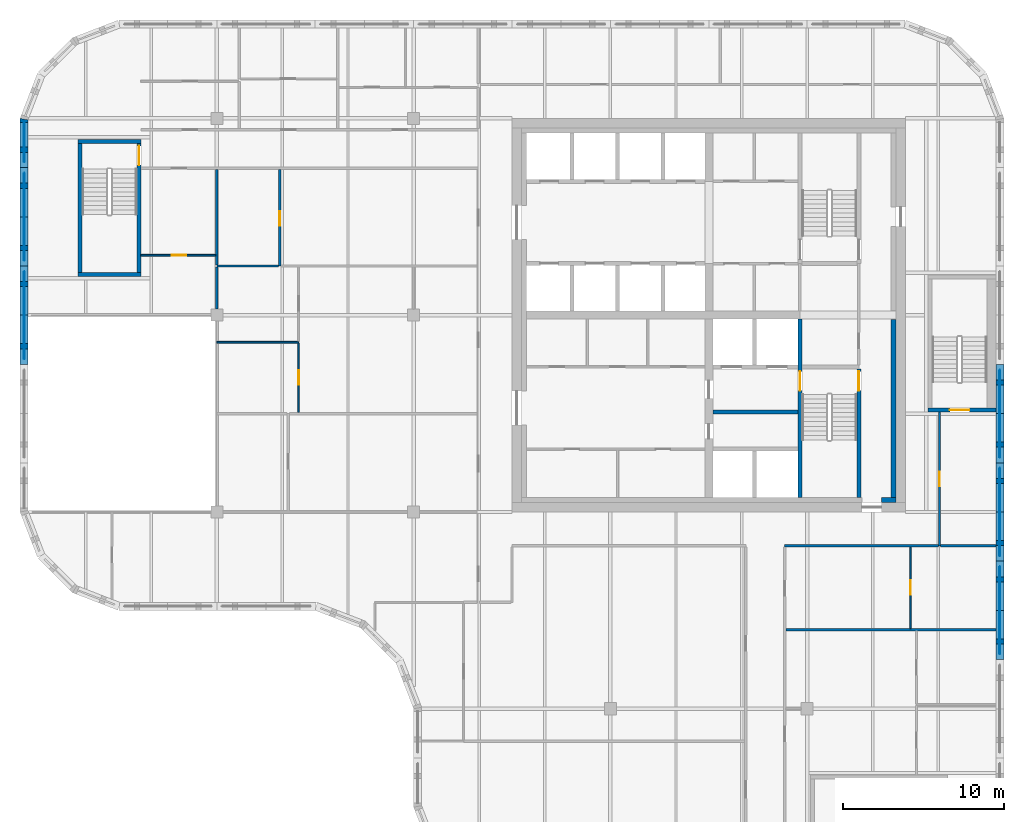
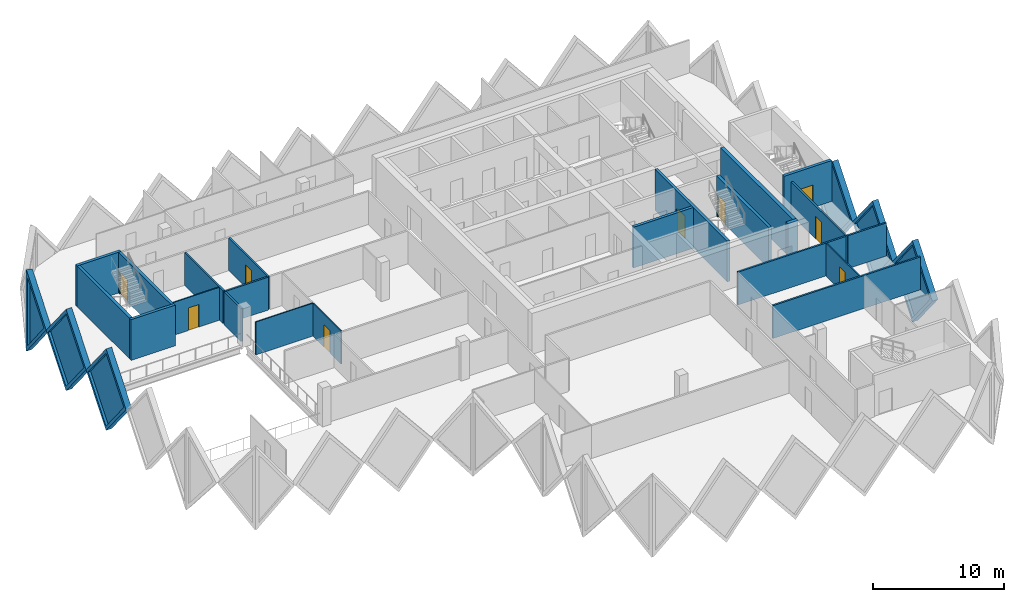
# One storey, part 6 of 11: 28 walls, 9 doors, 6 plates, 15 openings.
"""IFC4 building model written with IfcOpenShell, lengths in metres."""

from ifc_helpers import new_model, si_unit, direction, frame, frame_2d, origin, place, context, subcontext, project, spatial, polyline, rectangle, outline, extrude, faceted_brep, source, transform, mapped, material, layer, layer_set, type_object, element, fill, save


model = new_model("IFC4")

# Units and contexts
model_context = context("Model", 3, precision=1e-05, world=origin(), true_north=direction((0.0, 1.0)))
body_context = subcontext(model_context, "Body", "Model", "MODEL_VIEW")
ifc_project = project(units=[si_unit("LENGTHUNIT", "METRE"), si_unit("AREAUNIT", "SQUARE_METRE"), si_unit("VOLUMEUNIT", "CUBIC_METRE"), si_unit("PLANEANGLEUNIT", "RADIAN"), si_unit("MASSUNIT", "GRAM", prefix="KILO")], contexts=[model_context])

# Site, building, storey
site_placement = place(None, origin())
site = spatial("IfcSite", under=ifc_project, at=site_placement, CompositionType="ELEMENT")
building_placement = place(site_placement, origin())
building = spatial("IfcBuilding", under=site, at=building_placement, Name="Tessera Gate Towers", CompositionType="ELEMENT")
storey_placement = place(building_placement, frame((0.0, 0.0, 174.39990234375)))
storey = spatial("IfcBuildingStorey", under=building, at=storey_placement, Name="L43", CompositionType="ELEMENT", Elevation=174.39990234375)

# Wall, opening, door
ifc_material_1 = material(Name="Concrete C40/50", Category="concrete")
ifc_layer_1 = layer(ifc_material_1, 0.25)
ifc_layer_set_1 = layer_set([ifc_layer_1], Name="CORE ENCLOSURE WALL 250")
wall_type_1 = type_object("IfcWallType", Name="CORE ENCLOSURE WALL 250", PredefinedType="SOLIDWALL", material=ifc_layer_set_1)
wall_1_placement = place(storey_placement, frame((48.35009765625, 36.35009765625, 0.0), z_axis=(0.0, 0.0, 1.0), x_axis=(0.0, -1.0, 0.0)))
wall_1 = element("IfcWall", 1, at=wall_1_placement, inside=storey, type_object=wall_type_1, Name="L43 shaft and stair enclosure wall", PredefinedType="SOLIDWALL", context=body_context, shape_type="SweptSolid", body=[
    extrude(rectangle(XDim=11.050048828125, YDim=0.25, at=frame_2d((5.52490234375, 0.0))), origin(), (0.0, 0.0, 1.0), 3.800048828125),
])
shared_shape_1 = source(origin(), body_context, "Body", "SweptSolid", [
    extrude(rectangle(XDim=1.199951171875, YDim=2.10009765625, at=frame_2d((0.60009765625, 1.050048828125))), frame((0.0, 0.135009765625, 0.0), z_axis=(0.0, -1.0, 0.0), x_axis=(1.0, 0.0, 0.0)), (0.0, 0.0, 1.0), 0.27001953125),
])
opening_1_placement = place(wall_1_placement, frame((3.22509765625, 0.0, 0.0)))
opening_1 = element("IfcOpeningElement", 2, at=opening_1_placement, cuts=wall_1, Name="Opening SD-ST1-1", PredefinedType="OPENING", context=body_context, shape_type="MappedRepresentation", body=[
    mapped(shared_shape_1, transform((0.0, 0.0, 0.0), scale=1.0)),
])
ifc_material_2 = material(Name="Hollow steel fire door", Category="steel")
door_type_1 = type_object("IfcDoorType", Name="CORE DOOR SD 1200x2100", OperationType="NOTDEFINED", PredefinedType="DOOR", material=ifc_material_2)
shared_shape_2 = source(origin(), body_context, "Body", "SweptSolid", [
    extrude(rectangle(XDim=1.199951171875, YDim=2.10009765625, at=frame_2d((0.60009765625, 1.050048828125))), frame((0.0, 0.02490234375, 0.0), z_axis=(0.0, -1.0, 0.0), x_axis=(1.0, 0.0, 0.0)), (0.0, 0.0, 1.0), 0.050048828125),
])
door_1_placement = place(opening_1_placement, origin())
door_1 = element("IfcDoor", 3, at=door_1_placement, inside=storey, type_object=door_type_1, Name="Stair door", OperationType="SINGLE_SWING_LEFT", OverallHeight=2.10009765625, OverallWidth=1.199951171875, PredefinedType="DOOR", context=body_context, shape_type="MappedRepresentation", body=[
    mapped(shared_shape_2, transform((0.0, 0.0, 0.0), scale=1.0)),
])
fill(opening_1, door_1)

wall_2_placement = place(storey_placement, frame((52.0, 25.300048828125, 0.0), z_axis=(0.0, 0.0, 1.0), x_axis=(0.0, 1.0, 0.0)))
wall_2 = element("IfcWall", 4, at=wall_2_placement, inside=storey, type_object=wall_type_1, Name="L43 shaft and stair enclosure wall", PredefinedType="SOLIDWALL", context=body_context, shape_type="SweptSolid", body=[
    extrude(rectangle(XDim=7.974853515625, YDim=0.25, at=frame_2d((3.9873046875, 0.0))), origin(), (0.0, 0.0, 1.0), 3.800048828125),
])
opening_2_placement = place(wall_2_placement, frame((6.625, 0.0, 0.0)))
opening_2 = element("IfcOpeningElement", 5, at=opening_2_placement, cuts=wall_2, Name="Opening SD-ST1-2", PredefinedType="OPENING", context=body_context, shape_type="MappedRepresentation", body=[
    mapped(shared_shape_1, transform((0.0, 0.0, 0.0), scale=1.0)),
])
door_2_placement = place(opening_2_placement, origin())
door_2 = element("IfcDoor", 6, at=door_2_placement, inside=storey, type_object=door_type_1, Name="Stair door", OperationType="SINGLE_SWING_RIGHT", OverallHeight=2.10009765625, OverallWidth=1.199951171875, PredefinedType="DOOR", context=body_context, shape_type="MappedRepresentation", body=[
    mapped(shared_shape_2, transform((0.0, 0.0, 0.0), scale=1.0)),
])
fill(opening_2, door_2)

# Walls
wall_3_placement = place(storey_placement, frame((42.949951171875, 30.60009765625, 0.0), z_axis=(0.0, 0.0, 1.0), x_axis=(1.0, 0.0, 0.0)))
element("IfcWall", 7, at=wall_3_placement, inside=storey, type_object=wall_type_1, Name="L43 shaft and stair enclosure wall", PredefinedType="SOLIDWALL", context=body_context, shape_type="SweptSolid", body=[
    extrude(rectangle(XDim=5.275146484375, YDim=0.25, at=frame_2d((2.6376953125, 0.0))), origin(), (0.0, 0.0, 1.0), 3.800048828125),
])
wall_4_placement = place(storey_placement, frame((7.5, 39.125, 0.0), z_axis=(0.0, 0.0, 1.0), x_axis=(-1.0, 0.0, 0.0)))
element("IfcWall", 8, at=wall_4_placement, inside=storey, type_object=wall_type_1, Name="L43 ST3 enclosure wall", PredefinedType="SOLIDWALL", context=body_context, shape_type="SweptSolid", body=[
    extrude(rectangle(XDim=3.89990234375, YDim=0.25, at=frame_2d((1.949951171875, 0.0))), origin(), (0.0, 0.0, 1.0), 3.800048828125),
])
wall_5_placement = place(storey_placement, frame((3.72509765625, 39.25, 0.0), z_axis=(0.0, 0.0, 1.0), x_axis=(0.0, 1.0, 0.0)))
element("IfcWall", 9, at=wall_5_placement, inside=storey, type_object=wall_type_1, Name="L43 ST3 enclosure wall", PredefinedType="SOLIDWALL", context=body_context, shape_type="SweptSolid", body=[
    extrude(rectangle(XDim=8.0, YDim=0.25, at=frame_2d((4.0, 0.0))), origin(), (0.0, 0.0, 1.0), 3.800048828125),
])
wall_6_placement = place(storey_placement, frame((3.60009765625, 47.375, 0.0), z_axis=(0.0, 0.0, 1.0), x_axis=(1.0, 0.0, 0.0)))
element("IfcWall", 10, at=wall_6_placement, inside=storey, type_object=wall_type_1, Name="L43 ST3 enclosure wall", PredefinedType="SOLIDWALL", context=body_context, shape_type="SweptSolid", body=[
    extrude(rectangle(XDim=3.89990234375, YDim=0.25, at=frame_2d((1.949951171875, 0.0))), origin(), (0.0, 0.0, 1.0), 3.800048828125),
])

# Wall, opening, door
wall_7_placement = place(storey_placement, frame((7.375, 47.25, 0.0), z_axis=(0.0, 0.0, 1.0), x_axis=(0.0, -1.0, 0.0)))
wall_7 = element("IfcWall", 11, at=wall_7_placement, inside=storey, type_object=wall_type_1, Name="L43 ST3 enclosure wall", PredefinedType="SOLIDWALL", context=body_context, shape_type="SweptSolid", body=[
    extrude(rectangle(XDim=8.0, YDim=0.25, at=frame_2d((4.0, 0.0))), origin(), (0.0, 0.0, 1.0), 3.800048828125),
])
opening_3_placement = place(wall_7_placement, frame((0.14990234375, 0.0, 0.0)))
opening_3 = element("IfcOpeningElement", 12, at=opening_3_placement, cuts=wall_7, Name="Opening SD-ST3-1", PredefinedType="OPENING", context=body_context, shape_type="MappedRepresentation", body=[
    mapped(shared_shape_1, transform((0.0, 0.0, 0.0), scale=1.0)),
])
door_3_placement = place(opening_3_placement, origin())
door_3 = element("IfcDoor", 13, at=door_3_placement, inside=storey, type_object=door_type_1, Name="Stair door", OperationType="SINGLE_SWING_LEFT", OverallHeight=2.10009765625, OverallWidth=1.199951171875, PredefinedType="DOOR", context=body_context, shape_type="MappedRepresentation", body=[
    mapped(shared_shape_2, transform((0.0, 0.0, 0.0), scale=1.0)),
])
fill(opening_3, door_3)

wall_8_placement = place(storey_placement, frame((60.5, 30.72509765625, 0.0), z_axis=(0.0, 0.0, 1.0), x_axis=(-1.0, 0.0, 0.0)))
wall_8 = element("IfcWall", 14, at=wall_8_placement, inside=storey, type_object=wall_type_1, Name="L43 ST5 enclosure wall", PredefinedType="SOLIDWALL", context=body_context, shape_type="SweptSolid", body=[
    extrude(rectangle(XDim=4.199951171875, YDim=0.25, at=frame_2d((2.10009765625, 0.0))), origin(), (0.0, 0.0, 1.0), 3.800048828125),
])
opening_4_placement = place(wall_8_placement, frame((1.64990234375, 0.0, 0.0)))
opening_4 = element("IfcOpeningElement", 15, at=opening_4_placement, cuts=wall_8, Name="Opening SD-ST5-1", PredefinedType="OPENING", context=body_context, shape_type="MappedRepresentation", body=[
    mapped(shared_shape_1, transform((0.0, 0.0, 0.0), scale=1.0)),
])
door_4_placement = place(opening_4_placement, origin())
door_4 = element("IfcDoor", 16, at=door_4_placement, inside=storey, type_object=door_type_1, Name="Stair door", OperationType="SINGLE_SWING_RIGHT", OverallHeight=2.10009765625, OverallWidth=1.199951171875, PredefinedType="DOOR", context=body_context, shape_type="MappedRepresentation", body=[
    mapped(shared_shape_2, transform((0.0, 0.0, 0.0), scale=1.0)),
])
fill(opening_4, door_4)

# Walls
ifc_material_3 = material(Name="Concrete C50/60", Category="concrete")
ifc_layer_2 = layer(ifc_material_3, 0.300048828125)
ifc_layer_set_2 = layer_set([ifc_layer_2], Name="CORE WALL THICKENING 300")
wall_type_2 = type_object("IfcWallType", Name="CORE WALL THICKENING 300", PredefinedType="SOLIDWALL", material=ifc_layer_set_2)
wall_9_placement = place(storey_placement, frame((53.39990234375, 25.14990234375, 0.0), z_axis=(0.0, 0.0, 1.0), x_axis=(1.0, 0.0, 0.0)))
element("IfcWall", 17, at=wall_9_placement, inside=storey, type_object=wall_type_2, Name="Core wall thickening S L43", PredefinedType="SOLIDWALL", context=body_context, shape_type="SweptSolid", body=[
    extrude(rectangle(XDim=0.900146484375, YDim=0.300048828125, at=frame_2d((0.4501953125, 0.0))), origin(), (0.0, 0.0, 1.0), 3.800048828125),
])
wall_10_placement = place(storey_placement, frame((54.14990234375, 25.300048828125, 0.0), z_axis=(0.0, 0.0, 1.0), x_axis=(0.0, 1.0, 0.0)))
element("IfcWall", 18, at=wall_10_placement, inside=storey, type_object=wall_type_2, Name="Core wall thickening E L43", PredefinedType="SOLIDWALL", context=body_context, shape_type="SweptSolid", body=[
    extrude(rectangle(XDim=11.02001953125, YDim=0.300048828125, at=frame_2d((5.510009765625, 0.0))), origin(), (0.0, 0.0, 1.0), 3.800048828125),
])
ifc_material_4 = material(Name="Gypsum board on steel studs, mineral wool", Category="steel")
ifc_layer_3 = layer(ifc_material_4, 0.14990234375)
ifc_layer_set_3 = layer_set([ifc_layer_3], Name="CORRIDOR WALL 150")
wall_type_3 = type_object("IfcWallType", Name="CORRIDOR WALL 150", PredefinedType="PARTITIONING", material=ifc_layer_set_3)
wall_11_placement = place(storey_placement, frame((47.39990234375, 22.300048828125, 0.0), z_axis=(0.0, 0.0, 1.0), x_axis=(1.0, 0.0, 0.0)))
element("IfcWall", 19, at=wall_11_placement, inside=storey, type_object=wall_type_3, Name="T1-L43-PW-022", PredefinedType="PARTITIONING", context=body_context, shape_type="SweptSolid", body=[
    extrude(rectangle(XDim=9.524169921875, YDim=0.14990234375, at=frame_2d((4.76220703125, 0.0))), origin(), (0.0, 0.0, 1.0), 3.067138671875),
])

# Wall, opening, door
wall_12_placement = place(storey_placement, frame((57.0, 30.60009765625, 0.0), z_axis=(0.0, 0.0, 1.0), x_axis=(0.0, -1.0, 0.0)))
wall_12 = element("IfcWall", 20, at=wall_12_placement, inside=storey, type_object=wall_type_3, Name="T1-L43-PW-023", PredefinedType="PARTITIONING", context=body_context, shape_type="SweptSolid", body=[
    extrude(rectangle(XDim=8.300048828125, YDim=0.14990234375, at=frame_2d((4.14990234375, 0.0))), origin(), (0.0, 0.0, 1.0), 3.067138671875),
])
shared_shape_3 = source(origin(), body_context, "Body", "SweptSolid", [
    extrude(rectangle(XDim=0.89990234375, YDim=2.10009765625, at=frame_2d((0.449951171875, 1.050048828125))), frame((0.0, 0.0849609375, 0.0), z_axis=(0.0, -1.0, 0.0), x_axis=(1.0, 0.0, 0.0)), (0.0, 0.0, 1.0), 0.169921875),
])
opening_5_placement = place(wall_12_placement, frame((3.699951171875, 0.0, 0.0)))
opening_5 = element("IfcOpeningElement", 21, at=opening_5_placement, cuts=wall_12, Name="Opening D890FD60-A15-06", PredefinedType="OPENING", context=body_context, shape_type="MappedRepresentation", body=[
    mapped(shared_shape_3, transform((0.0, 0.0, 0.0), scale=1.0)),
])
ifc_material_5 = material(Name="Timber door leaf in steel frame", Category="steel")
door_type_2 = type_object("IfcDoorType", Name="CORRIDOR DOOR 900 FD60", OperationType="NOTDEFINED", PredefinedType="DOOR", material=ifc_material_5)
shared_shape_4 = source(origin(), body_context, "Body", "SweptSolid", [
    extrude(rectangle(XDim=0.89990234375, YDim=2.10009765625, at=frame_2d((0.449951171875, 1.050048828125))), frame((0.0, 0.02490234375, 0.0), z_axis=(0.0, -1.0, 0.0), x_axis=(1.0, 0.0, 0.0)), (0.0, 0.0, 1.0), 0.050048828125),
])
door_5_placement = place(opening_5_placement, origin())
door_5 = element("IfcDoor", 22, at=door_5_placement, inside=storey, type_object=door_type_2, Name="T1-L43-PD-022", OperationType="SINGLE_SWING_RIGHT", OverallHeight=2.10009765625, OverallWidth=0.89990234375, PredefinedType="DOOR", context=body_context, shape_type="MappedRepresentation", body=[
    mapped(shared_shape_4, transform((0.0, 0.0, 0.0), scale=1.0)),
])
fill(opening_5, door_5)

ifc_material_6 = material(Name="Gypsum board on steel studs", Category="steel")
ifc_layer_4 = layer(ifc_material_6, 0.10009765625)
ifc_layer_set_4 = layer_set([ifc_layer_4], Name="PARTITION 100")
wall_type_4 = type_object("IfcWallType", Name="PARTITION 100", PredefinedType="PARTITIONING", material=ifc_layer_set_4)
wall_13_placement = place(storey_placement, frame((55.199951171875, 22.22412109375, 0.0), z_axis=(0.0, 0.0, 1.0), x_axis=(0.0, -1.0, 0.0)))
wall_13 = element("IfcWall", 23, at=wall_13_placement, inside=storey, type_object=wall_type_4, Name="T1-L43-PW-014", PredefinedType="PARTITIONING", context=body_context, shape_type="SweptSolid", body=[
    extrude(rectangle(XDim=5.048095703125, YDim=0.10009765625, at=frame_2d((2.52392578125, 0.0))), origin(), (0.0, 0.0, 1.0), 3.067138671875),
])
shared_shape_5 = source(origin(), body_context, "Body", "SweptSolid", [
    extrude(rectangle(XDim=0.89990234375, YDim=2.10009765625, at=frame_2d((0.449951171875, 1.050048828125))), frame((0.0, 0.06005859375, 0.0), z_axis=(0.0, -1.0, 0.0), x_axis=(1.0, 0.0, 0.0)), (0.0, 0.0, 1.0), 0.1201171875),
])
opening_6_placement = place(wall_13_placement, frame((2.048095703125, 0.0, 0.0)))
opening_6 = element("IfcOpeningElement", 24, at=opening_6_placement, cuts=wall_13, Name="Opening D190-A15-08", PredefinedType="OPENING", context=body_context, shape_type="MappedRepresentation", body=[
    mapped(shared_shape_5, transform((0.0, 0.0, 0.0), scale=1.0)),
])
ifc_material_7 = material(Name="Timber door leaf in steel frame", Category="steel")
door_type_3 = type_object("IfcDoorType", Name="INTERNAL DOOR 900 NOT RATED", OperationType="NOTDEFINED", PredefinedType="DOOR", material=ifc_material_7)
door_6_placement = place(opening_6_placement, origin())
door_6 = element("IfcDoor", 25, at=door_6_placement, inside=storey, type_object=door_type_3, Name="T1-L43-PD-010", OperationType="SINGLE_SWING_RIGHT", OverallHeight=2.10009765625, OverallWidth=0.89990234375, PredefinedType="DOOR", context=body_context, shape_type="MappedRepresentation", body=[
    mapped(shared_shape_4, transform((0.0, 0.0, 0.0), scale=1.0)),
])
fill(opening_6, door_6)

wall_14_placement = place(storey_placement, frame((17.27490234375, 30.575927734375, 0.0), z_axis=(0.0, 0.0, 1.0), x_axis=(0.0, 1.0, 0.0)))
wall_14 = element("IfcWall", 26, at=wall_14_placement, inside=storey, type_object=wall_type_4, Name="T1-L43-PW-030", PredefinedType="PARTITIONING", context=body_context, shape_type="SweptSolid", body=[
    extrude(rectangle(XDim=4.29345703125, YDim=0.10009765625, at=frame_2d((2.146728515625, 0.0))), origin(), (0.0, 0.0, 1.0), 3.067138671875),
])
opening_7_placement = place(wall_14_placement, frame((1.699951171875, 0.0, 0.0)))
opening_7 = element("IfcOpeningElement", 27, at=opening_7_placement, cuts=wall_14, Name="Opening D190-A15-02", PredefinedType="OPENING", context=body_context, shape_type="MappedRepresentation", body=[
    mapped(shared_shape_5, transform((0.0, 0.0, 0.0), scale=1.0)),
])
door_7_placement = place(opening_7_placement, origin())
door_7 = element("IfcDoor", 28, at=door_7_placement, inside=storey, type_object=door_type_3, Name="T1-L43-PD-003", OperationType="SINGLE_SWING_LEFT", OverallHeight=2.10009765625, OverallWidth=0.89990234375, PredefinedType="DOOR", context=body_context, shape_type="MappedRepresentation", body=[
    mapped(shared_shape_4, transform((0.0, 0.0, 0.0), scale=1.0)),
])
fill(opening_7, door_7)

# Wall
wall_15_placement = place(storey_placement, frame((12.199951171875, 34.919921875, 0.0), z_axis=(0.0, 0.0, 1.0), x_axis=(1.0, 0.0, 0.0)))
element("IfcWall", 29, at=wall_15_placement, inside=storey, type_object=wall_type_4, Name="T1-L43-PW-031", PredefinedType="PARTITIONING", context=body_context, shape_type="SweptSolid", body=[
    extrude(rectangle(XDim=5.074951171875, YDim=0.10009765625, at=frame_2d((2.53759765625, 0.0))), origin(), (0.0, 0.0, 1.0), 3.067138671875),
])

# Wall, opening, door
wall_16_placement = place(storey_placement, frame((12.1240234375, 40.31494140625, 0.0), z_axis=(0.0, 0.0, 1.0), x_axis=(-1.0, 0.0, 0.0)))
wall_16 = element("IfcWall", 30, at=wall_16_placement, inside=storey, type_object=wall_type_4, Name="T1-L43-PW-039", PredefinedType="PARTITIONING", context=body_context, shape_type="SweptSolid", body=[
    extrude(rectangle(XDim=4.6240234375, YDim=0.10009765625, at=frame_2d((2.31201171875, 0.0))), origin(), (0.0, 0.0, 1.0), 3.067138671875),
])
opening_8_placement = place(wall_16_placement, frame((1.823974609375, 0.0, 0.0)))
opening_8 = element("IfcOpeningElement", 31, at=opening_8_placement, cuts=wall_16, Name="Opening D190-A15-07", PredefinedType="OPENING", context=body_context, shape_type="MappedRepresentation", body=[
    mapped(shared_shape_5, transform((0.0, 0.0, 0.0), scale=1.0)),
])
door_8_placement = place(opening_8_placement, origin())
door_8 = element("IfcDoor", 32, at=door_8_placement, inside=storey, type_object=door_type_3, Name="T1-L43-PD-008", OperationType="SINGLE_SWING_RIGHT", OverallHeight=2.10009765625, OverallWidth=0.89990234375, PredefinedType="DOOR", context=body_context, shape_type="MappedRepresentation", body=[
    mapped(shared_shape_4, transform((0.0, 0.0, 0.0), scale=1.0)),
])
fill(opening_8, door_8)

# Walls
ifc_material_8 = material(Name="Gypsum board on steel studs, mineral wool", Category="steel")
ifc_layer_5 = layer(ifc_material_8, 0.14990234375)
ifc_layer_set_5 = layer_set([ifc_layer_5], Name="TENANCY WALL 150")
wall_type_5 = type_object("IfcWallType", Name="TENANCY WALL 150", PredefinedType="PARTITIONING", material=ifc_layer_set_5)
wall_17_placement = place(storey_placement, frame((47.47607421875, 17.10009765625, 0.0), z_axis=(0.0, 0.0, 1.0), x_axis=(1.0, 0.0, 0.0)))
element("IfcWall", 33, at=wall_17_placement, inside=storey, type_object=wall_type_5, Name="T1-L43-PW-013", PredefinedType="PARTITIONING", context=body_context, shape_type="SweptSolid", body=[
    extrude(rectangle(XDim=13.02392578125, YDim=0.14990234375, at=frame_2d((6.511962890625, 0.0))), origin(), (0.0, 0.0, 1.0), 3.067138671875),
])
wall_18_placement = place(storey_placement, frame((57.075927734375, 22.300048828125, 0.0), z_axis=(0.0, 0.0, 1.0), x_axis=(1.0, 0.0, 0.0)))
element("IfcWall", 34, at=wall_18_placement, inside=storey, type_object=wall_type_5, Name="T1-L43-PW-024", PredefinedType="PARTITIONING", context=body_context, shape_type="SweptSolid", body=[
    extrude(rectangle(XDim=3.424072265625, YDim=0.14990234375, at=frame_2d((1.7119140625, 0.0))), origin(), (0.0, 0.0, 1.0), 3.067138671875),
])
wall_19_placement = place(storey_placement, frame((12.199951171875, 36.97607421875, 0.0), z_axis=(0.0, 0.0, 1.0), x_axis=(0.0, 1.0, 0.0)))
element("IfcWall", 35, at=wall_19_placement, inside=storey, type_object=wall_type_5, Name="T1-L43-PW-033", PredefinedType="PARTITIONING", context=body_context, shape_type="SweptSolid", body=[
    extrude(rectangle(XDim=2.597900390625, YDim=0.14990234375, at=frame_2d((1.298828125, 0.0))), origin(), (0.0, 0.0, 1.0), 3.067138671875),
])
wall_20_placement = place(storey_placement, frame((12.199951171875, 39.64990234375, 0.0), z_axis=(0.0, 0.0, 1.0), x_axis=(1.0, 0.0, 0.0)))
element("IfcWall", 36, at=wall_20_placement, inside=storey, type_object=wall_type_5, Name="T1-L43-PW-035", PredefinedType="PARTITIONING", context=body_context, shape_type="SweptSolid", body=[
    extrude(rectangle(XDim=3.823974609375, YDim=0.14990234375, at=frame_2d((1.912109375, 0.0))), origin(), (0.0, 0.0, 1.0), 3.067138671875),
])

# Wall, opening, door
wall_21_placement = place(storey_placement, frame((16.10009765625, 39.64990234375, 0.0), z_axis=(0.0, 0.0, 1.0), x_axis=(0.0, 1.0, 0.0)))
wall_21 = element("IfcWall", 37, at=wall_21_placement, inside=storey, type_object=wall_type_5, Name="T1-L43-PW-036", PredefinedType="PARTITIONING", context=body_context, shape_type="SweptSolid", body=[
    extrude(rectangle(XDim=5.97412109375, YDim=0.14990234375, at=frame_2d((2.987060546875, 0.0))), origin(), (0.0, 0.0, 1.0), 3.067138671875),
])
opening_9_placement = place(wall_21_placement, frame((2.5, 0.0, 0.0)))
opening_9 = element("IfcOpeningElement", 38, at=opening_9_placement, cuts=wall_21, Name="Opening D190-A15-10", PredefinedType="OPENING", context=body_context, shape_type="MappedRepresentation", body=[
    mapped(shared_shape_3, transform((0.0, 0.0, 0.0), scale=1.0)),
])
door_9_placement = place(opening_9_placement, origin())
door_9 = element("IfcDoor", 39, at=door_9_placement, inside=storey, type_object=door_type_3, Name="T1-L43-PD-015", OperationType="SINGLE_SWING_LEFT", OverallHeight=2.10009765625, OverallWidth=0.89990234375, PredefinedType="DOOR", context=body_context, shape_type="MappedRepresentation", body=[
    mapped(shared_shape_4, transform((0.0, 0.0, 0.0), scale=1.0)),
])
fill(opening_9, door_9)

# Wall
wall_22_placement = place(storey_placement, frame((12.199951171875, 39.72607421875, 0.0), z_axis=(0.0, 0.0, 1.0), x_axis=(0.0, 1.0, 0.0)))
element("IfcWall", 40, at=wall_22_placement, inside=storey, type_object=wall_type_5, Name="T1-L43-PW-038", PredefinedType="PARTITIONING", context=body_context, shape_type="SweptSolid", body=[
    extrude(rectangle(XDim=5.89794921875, YDim=0.14990234375, at=frame_2d((2.948974609375, 0.0))), origin(), (0.0, 0.0, 1.0), 3.067138671875),
])

# Wall, opening, plate
ifc_material_9 = material(Name="Precast concrete C60/75 white", Category="concrete")
ifc_layer_6 = layer(ifc_material_9, 0.5)
ifc_layer_set_6 = layer_set([ifc_layer_6], Name="TS3 corner tessera")
wall_type_6 = type_object("IfcWallType", Name="TS3 corner tessera", PredefinedType="SOLIDWALL", material=ifc_layer_set_6)
shared_shape_6 = source(origin(), body_context, "Body", "Brep", [
    faceted_brep([(0.046630859375, -0.25, 0.0), (3.050048828125, -0.25, 3.7998046875), (0.046630859375, -0.25, 7.599853515625), (0.0, -0.25, 7.539794921875), (0.0, -0.25, 0.06005859375), (0.09326171875, 0.25, 7.541015625), (3.050048828125, 0.25, 3.7998046875), (0.09326171875, 0.25, 0.058837890625), (0.046630859375, 0.0, 0.0), (0.046630859375, 0.0, 7.599853515625)], [[[0, 1, 2, 3, 4]], [[5, 6, 7]], [[7, 6, 1, 0, 8]], [[6, 5, 9, 2, 1]], [[3, 2, 9]], [[8, 0, 4]], [[7, 8, 4, 3, 9, 5]]]),
])
wall_23_placement = place(storey_placement, frame((0.25, 48.800048828125, -3.7998046875), z_axis=(0.0, 0.0, 1.0), x_axis=(0.0, -1.0, 0.0)))
wall_23 = element("IfcWall", 41, at=wall_23_placement, inside=storey, type_object=wall_type_6, Name="Precast corner tessera T1 TS3-0996", PredefinedType="SOLIDWALL", context=body_context, shape_type="MappedRepresentation", body=[
    mapped(shared_shape_6, transform((0.0, 0.0, 0.0), scale=1.0)),
])
shared_shape_7 = source(origin(), body_context, "Body", "SweptSolid", [
    extrude(outline(polyline([(0.24658203125, 0.656005859375), (2.7314453125, 3.7998046875), (0.24658203125, 6.943603515625), (0.24658203125, 0.656005859375)])), frame((0.0, 0.260009765625, 0.0), z_axis=(0.0, -1.0, 0.0), x_axis=(1.0, 0.0, 0.0)), (0.0, 0.0, 1.0), 0.52001953125),
])
opening_10_placement = place(wall_23_placement, origin())
opening_10 = element("IfcOpeningElement", 42, at=opening_10_placement, cuts=wall_23, Name="Opening T1-PL2-1533", PredefinedType="OPENING", context=body_context, shape_type="MappedRepresentation", body=[
    mapped(shared_shape_7, transform((0.0, 0.0, 0.0), scale=1.0)),
])
ifc_material_10 = material(Name="Low-e laminated glass", Category="glass")
ifc_layer_7 = layer(ifc_material_10, 0.06005859375)
ifc_layer_set_7 = layer_set([ifc_layer_7], Name="PL2 rhombic pane")
plate_type = type_object("IfcPlateType", Name="PL2 rhombic pane", PredefinedType="SHEET", material=ifc_layer_set_7)
shared_shape_8 = source(origin(), body_context, "Body", "SweptSolid", [
    extrude(outline(polyline([(0.24658203125, 0.656005859375), (2.7314453125, 3.7998046875), (0.24658203125, 6.943603515625), (0.24658203125, 0.656005859375)])), frame((0.0, 0.030029296875, 0.0), z_axis=(0.0, -1.0, 0.0), x_axis=(1.0, 0.0, 0.0)), (0.0, 0.0, 1.0), 0.06005859375),
])
plate_1_placement = place(opening_10_placement, origin())
plate_1 = element("IfcPlate", 43, at=plate_1_placement, inside=storey, type_object=plate_type, Name="Glass pane T1 PL2-1533", PredefinedType="SHEET", context=body_context, shape_type="MappedRepresentation", body=[
    mapped(shared_shape_8, transform((0.0, 0.0, 0.0), scale=1.0)),
])
fill(opening_10, plate_1)

ifc_material_11 = material(Name="Precast concrete C60/75 white", Category="concrete")
ifc_layer_8 = layer(ifc_material_11, 0.5)
ifc_layer_set_8 = layer_set([ifc_layer_8], Name="TS1 tessera")
wall_type_7 = type_object("IfcWallType", Name="TS1 tessera", PredefinedType="SOLIDWALL", material=ifc_layer_set_8)
shared_shape_9 = source(origin(), body_context, "Body", "Brep", [
    faceted_brep([(3.050048828125, -0.25, 0.0), (6.099853515625, -0.25, 3.799560546875), (6.099853515625, -0.25, 3.800048828125), (3.050048828125, -0.25, 7.599853515625), (0.0, -0.25, 3.7998046875), (0.0, 0.25, 3.7998046875), (3.050048828125, 0.25, 7.599853515625), (6.099853515625, 0.25, 3.800048828125), (6.099853515625, 0.25, 3.799560546875), (3.050048828125, 0.25, 0.0)], [[[0, 1, 2, 3, 4]], [[5, 6, 7, 8, 9]], [[9, 8, 1, 0]], [[7, 6, 3, 2]], [[6, 5, 4, 3]], [[5, 9, 0, 4]], [[1, 8, 7, 2]]]),
])
wall_24_placement = place(storey_placement, frame((60.75, 21.35009765625, -3.7998046875), z_axis=(0.0, 0.0, 1.0), x_axis=(0.0, 1.0, 0.0)))
wall_24 = element("IfcWall", 44, at=wall_24_placement, inside=storey, type_object=wall_type_7, Name="Precast tessera T1 TS1-0742", PredefinedType="SOLIDWALL", context=body_context, shape_type="MappedRepresentation", body=[
    mapped(shared_shape_9, transform((0.0, 0.0, 0.0), scale=1.0)),
])
shared_shape_10 = source(origin(), body_context, "Body", "SweptSolid", [
    extrude(outline(polyline([(3.050048828125, 0.3994140625), (5.779541015625, 3.7998046875), (3.050048828125, 7.200439453125), (0.320556640625, 3.7998046875), (3.050048828125, 0.3994140625)])), frame((0.0, 0.260009765625, 0.0), z_axis=(0.0, -1.0, 0.0), x_axis=(1.0, 0.0, 0.0)), (0.0, 0.0, 1.0), 0.52001953125),
])
opening_11_placement = place(wall_24_placement, origin())
opening_11 = element("IfcOpeningElement", 45, at=opening_11_placement, cuts=wall_24, Name="Opening T1-PL2-1514", PredefinedType="OPENING", context=body_context, shape_type="MappedRepresentation", body=[
    mapped(shared_shape_10, transform((0.0, 0.0, 0.0), scale=1.0)),
])
shared_shape_11 = source(origin(), body_context, "Body", "SweptSolid", [
    extrude(outline(polyline([(3.050048828125, 0.3994140625), (5.779541015625, 3.7998046875), (3.050048828125, 7.200439453125), (0.320556640625, 3.7998046875), (3.050048828125, 0.3994140625)])), frame((0.0, 0.030029296875, 0.0), z_axis=(0.0, -1.0, 0.0), x_axis=(1.0, 0.0, 0.0)), (0.0, 0.0, 1.0), 0.06005859375),
])
plate_2_placement = place(opening_11_placement, origin())
plate_2 = element("IfcPlate", 46, at=plate_2_placement, inside=storey, type_object=plate_type, Name="Glass pane T1 PL2-1514", PredefinedType="SHEET", context=body_context, shape_type="MappedRepresentation", body=[
    mapped(shared_shape_11, transform((0.0, 0.0, 0.0), scale=1.0)),
])
fill(opening_11, plate_2)

wall_25_placement = place(storey_placement, frame((0.25, 39.64990234375, -3.7998046875), z_axis=(0.0, 0.0, 1.0), x_axis=(0.0, -1.0, 0.0)))
wall_25 = element("IfcWall", 47, at=wall_25_placement, inside=storey, type_object=wall_type_7, Name="Precast tessera T1 TS1-0755", PredefinedType="SOLIDWALL", context=body_context, shape_type="MappedRepresentation", body=[
    mapped(shared_shape_9, transform((0.0, 0.0, 0.0), scale=1.0)),
])
opening_12_placement = place(wall_25_placement, origin())
opening_12 = element("IfcOpeningElement", 48, at=opening_12_placement, cuts=wall_25, Name="Opening T1-PL2-1535", PredefinedType="OPENING", context=body_context, shape_type="MappedRepresentation", body=[
    mapped(shared_shape_10, transform((0.0, 0.0, 0.0), scale=1.0)),
])
plate_3_placement = place(opening_12_placement, origin())
plate_3 = element("IfcPlate", 49, at=plate_3_placement, inside=storey, type_object=plate_type, Name="Glass pane T1 PL2-1535", PredefinedType="SHEET", context=body_context, shape_type="MappedRepresentation", body=[
    mapped(shared_shape_11, transform((0.0, 0.0, 0.0), scale=1.0)),
])
fill(opening_12, plate_3)

shared_shape_12 = source(origin(), body_context, "Body", "SweptSolid", [
    extrude(outline(polyline([(3.050048828125, 0.0), (6.10009765625, 3.7998046875), (3.050048828125, 7.599853515625), (0.0, 3.7998046875), (3.050048828125, 0.0)])), frame((0.0, 0.25, 0.0), z_axis=(0.0, -1.0, 0.0), x_axis=(1.0, 0.0, 0.0)), (0.0, 0.0, 1.0), 0.5),
])
wall_26_placement = place(storey_placement, frame((60.75, 15.25, -3.7998046875), z_axis=(0.0, 0.0, 1.0), x_axis=(0.0, 1.0, 0.0)))
wall_26 = element("IfcWall", 50, at=wall_26_placement, inside=storey, type_object=wall_type_7, Name="Precast tessera T1 TS1-0741", PredefinedType="SOLIDWALL", context=body_context, shape_type="MappedRepresentation", body=[
    mapped(shared_shape_12, transform((0.0, 0.0, 0.0), scale=1.0)),
])
opening_13_placement = place(wall_26_placement, origin())
opening_13 = element("IfcOpeningElement", 51, at=opening_13_placement, cuts=wall_26, Name="Opening T1-PL2-1513", PredefinedType="OPENING", context=body_context, shape_type="MappedRepresentation", body=[
    mapped(shared_shape_10, transform((0.0, 0.0, 0.0), scale=1.0)),
])
plate_4_placement = place(opening_13_placement, origin())
plate_4 = element("IfcPlate", 52, at=plate_4_placement, inside=storey, type_object=plate_type, Name="Glass pane T1 PL2-1513", PredefinedType="SHEET", context=body_context, shape_type="MappedRepresentation", body=[
    mapped(shared_shape_11, transform((0.0, 0.0, 0.0), scale=1.0)),
])
fill(opening_13, plate_4)

wall_27_placement = place(storey_placement, frame((60.75, 27.449951171875, -3.7998046875), z_axis=(0.0, 0.0, 1.0), x_axis=(0.0, 1.0, 0.0)))
wall_27 = element("IfcWall", 53, at=wall_27_placement, inside=storey, type_object=wall_type_7, Name="Precast tessera T1 TS1-0743", PredefinedType="SOLIDWALL", context=body_context, shape_type="MappedRepresentation", body=[
    mapped(shared_shape_12, transform((0.0, 0.0, 0.0), scale=1.0)),
])
opening_14_placement = place(wall_27_placement, origin())
opening_14 = element("IfcOpeningElement", 54, at=opening_14_placement, cuts=wall_27, Name="Opening T1-PL2-1515", PredefinedType="OPENING", context=body_context, shape_type="MappedRepresentation", body=[
    mapped(shared_shape_10, transform((0.0, 0.0, 0.0), scale=1.0)),
])
plate_5_placement = place(opening_14_placement, origin())
plate_5 = element("IfcPlate", 55, at=plate_5_placement, inside=storey, type_object=plate_type, Name="Glass pane T1 PL2-1515", PredefinedType="SHEET", context=body_context, shape_type="MappedRepresentation", body=[
    mapped(shared_shape_11, transform((0.0, 0.0, 0.0), scale=1.0)),
])
fill(opening_14, plate_5)

wall_28_placement = place(storey_placement, frame((0.25, 45.75, -3.7998046875), z_axis=(0.0, 0.0, 1.0), x_axis=(0.0, -1.0, 0.0)))
wall_28 = element("IfcWall", 56, at=wall_28_placement, inside=storey, type_object=wall_type_7, Name="Precast tessera T1 TS1-0754", PredefinedType="SOLIDWALL", context=body_context, shape_type="MappedRepresentation", body=[
    mapped(shared_shape_12, transform((0.0, 0.0, 0.0), scale=1.0)),
])
opening_15_placement = place(wall_28_placement, origin())
opening_15 = element("IfcOpeningElement", 57, at=opening_15_placement, cuts=wall_28, Name="Opening T1-PL2-1534", PredefinedType="OPENING", context=body_context, shape_type="MappedRepresentation", body=[
    mapped(shared_shape_10, transform((0.0, 0.0, 0.0), scale=1.0)),
])
plate_6_placement = place(opening_15_placement, origin())
plate_6 = element("IfcPlate", 58, at=plate_6_placement, inside=storey, type_object=plate_type, Name="Glass pane T1 PL2-1534", PredefinedType="SHEET", context=body_context, shape_type="MappedRepresentation", body=[
    mapped(shared_shape_11, transform((0.0, 0.0, 0.0), scale=1.0)),
])
fill(opening_15, plate_6)

save(model, "model.ifc")
